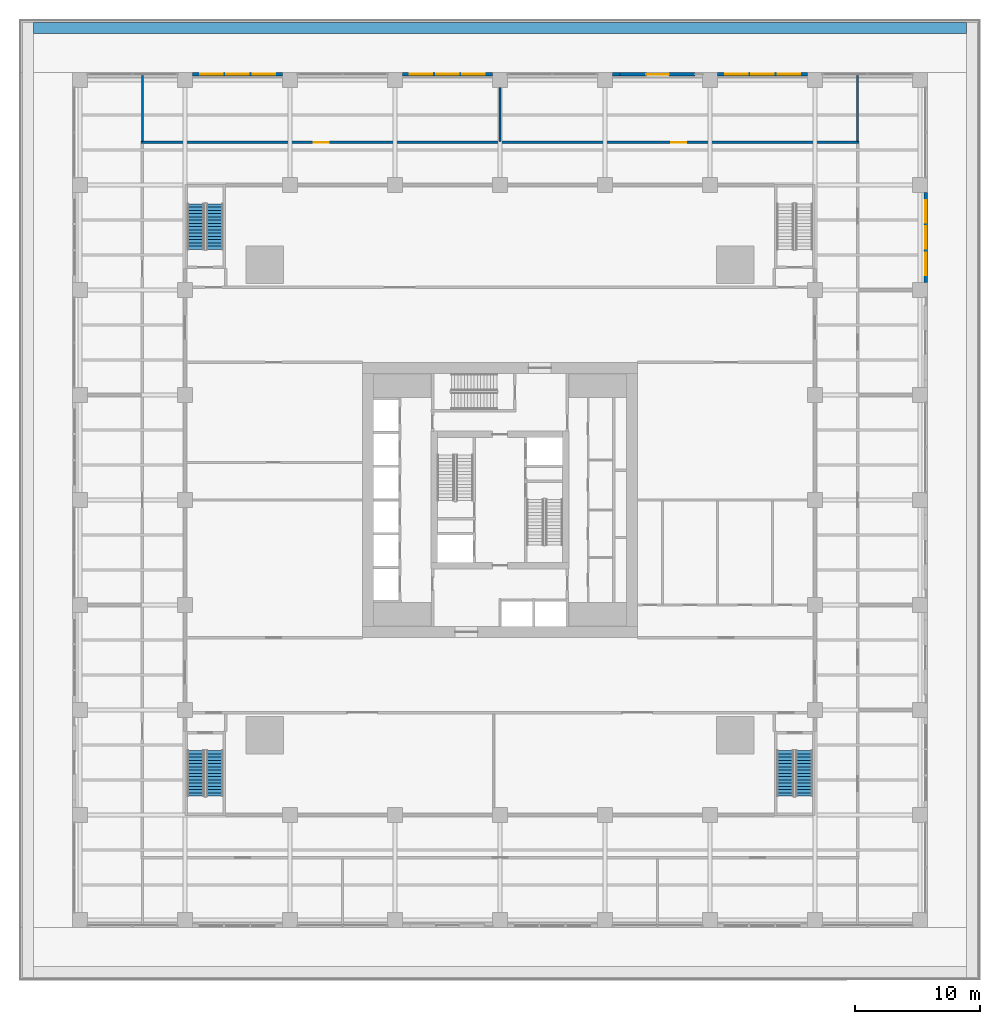
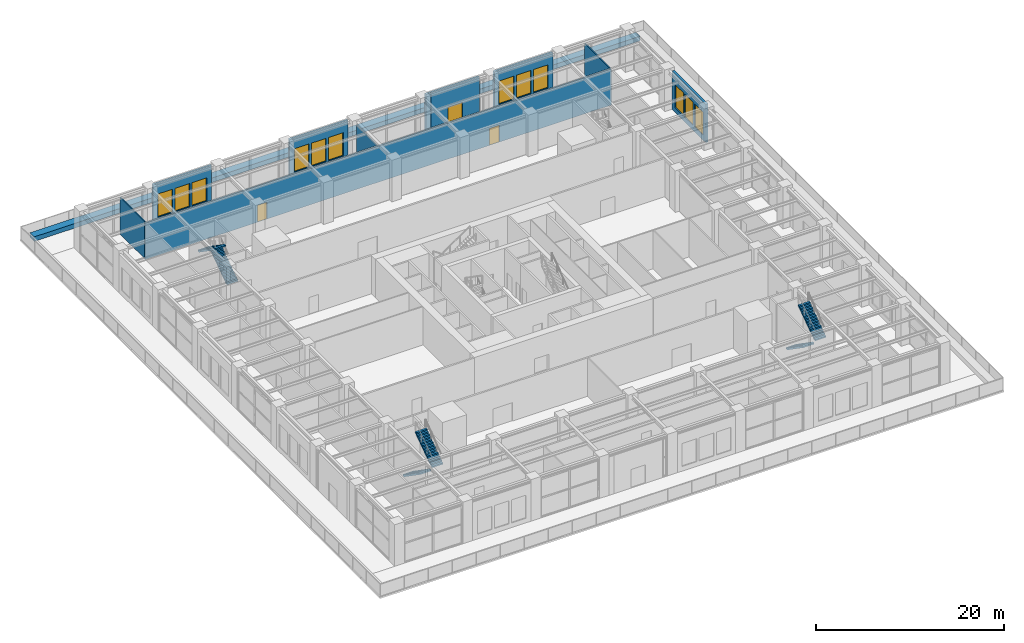
# One storey, part 27 of 36: 12 windows, 11 walls, 6 stair flights, 3 doors, 15 openings, 3 elements without a shape of their own.
"""IFC4 building model written with IfcOpenShell, lengths in metres."""

from ifc_helpers import new_model, si_unit, direction, frame, frame_2d, origin, place, context, subcontext, project, spatial, polyline, rectangle, outline, extrude, material, layer, layer_set, type_object, element, fill, aggregate, save


model = new_model("IFC4")

# Units and contexts
model_context = context("Model", 3, precision=1e-05, world=origin(), true_north=direction((0.0, 1.0)))
body_context = subcontext(model_context, "Body", "Model", "MODEL_VIEW")
ifc_project = project(units=[si_unit("LENGTHUNIT", "METRE"), si_unit("AREAUNIT", "SQUARE_METRE"), si_unit("VOLUMEUNIT", "CUBIC_METRE"), si_unit("PLANEANGLEUNIT", "RADIAN"), si_unit("MASSUNIT", "GRAM", prefix="KILO")], contexts=[model_context])

# Site, building, storey
site_placement = place(None, origin())
site = spatial("IfcSite", under=ifc_project, at=site_placement, CompositionType="ELEMENT")
building_placement = place(site_placement, origin())
building = spatial("IfcBuilding", under=site, at=building_placement, Name="Khepri Terraces", CompositionType="ELEMENT")
storey_placement = place(building_placement, frame((0.0, 0.0, 16.800048828125)))
storey = spatial("IfcBuildingStorey", under=building, at=storey_placement, Name="L03", CompositionType="ELEMENT", Elevation=16.800048828125)

# Wall, openings, windows
ifc_material_1 = material(Name="Precast concrete C50/60 warm stone", Category="masonry")
ifc_layer_1 = layer(ifc_material_1, 0.300048828125, Name="Precast concrete C50/60 warm stone", Category="masonry")
ifc_layer_set_1 = layer_set([ifc_layer_1], Name="Precast concrete C50/60 warm stone")
wall_type_1 = type_object("IfcWallType", Name="WL-EXT-PRECAST-300", PredefinedType="STANDARD", material=ifc_layer_set_1)
wall_1_placement = place(storey_placement, frame((34.050048828125, 17.39990234375, 0.0), z_axis=(0.0, 0.0, 1.0), x_axis=(0.0, 1.0, 0.0)))
wall_1 = element("IfcWall", 1, at=wall_1_placement, inside=storey, type_object=wall_type_1, Name="External wall L03 E", PredefinedType="STANDARD", context=body_context, shape_type="SweptSolid", body=[
    extrude(rectangle(XDim=7.2001953125, YDim=0.300048828125, at=frame_2d((3.60009765625, 0.0))), origin(), (0.0, 0.0, 1.0), 4.97998046875),
])
opening_1_placement = place(wall_1_placement, frame((0.60009765625, 0.0, 0.60009765625)))
opening_1 = element("IfcOpeningElement", 2, at=opening_1_placement, cuts=wall_1, Name="Opening WP1", PredefinedType="OPENING", context=body_context, shape_type="SweptSolid", body=[
    extrude(rectangle(XDim=1.800048828125, YDim=3.0, at=frame_2d((0.89990234375, 1.5))), frame((0.0, 0.16015625, 0.0), z_axis=(0.0, -1.0, 0.0), x_axis=(1.0, 0.0, 0.0)), (0.0, 0.0, 1.0), 0.320068359375),
])
opening_2_placement = place(wall_1_placement, frame((2.699951171875, 0.0, 0.60009765625)))
opening_2 = element("IfcOpeningElement", 3, at=opening_2_placement, cuts=wall_1, Name="Opening WP1", PredefinedType="OPENING", context=body_context, shape_type="SweptSolid", body=[
    extrude(rectangle(XDim=1.800048828125, YDim=3.0, at=frame_2d((0.89990234375, 1.5))), frame((0.0, 0.16015625, 0.0), z_axis=(0.0, -1.0, 0.0), x_axis=(1.0, 0.0, 0.0)), (0.0, 0.0, 1.0), 0.320068359375),
])
opening_3_placement = place(wall_1_placement, frame((4.800048828125, 0.0, 0.60009765625)))
opening_3 = element("IfcOpeningElement", 4, at=opening_3_placement, cuts=wall_1, Name="Opening WP1", PredefinedType="OPENING", context=body_context, shape_type="SweptSolid", body=[
    extrude(rectangle(XDim=1.800048828125, YDim=3.0, at=frame_2d((0.89990234375, 1.5))), frame((0.0, 0.16015625, 0.0), z_axis=(0.0, -1.0, 0.0), x_axis=(1.0, 0.0, 0.0)), (0.0, 0.0, 1.0), 0.320068359375),
])
ifc_material_2 = material(Name="Clear glass", Category="glass")
window_type = type_object("IfcWindowType", Name="WIN-POD-1800x3000", PartitioningType="SINGLE_PANEL", PredefinedType="WINDOW", material=ifc_material_2)
window_1_placement = place(opening_1_placement, origin())
window_1 = element("IfcWindow", 5, at=window_1_placement, inside=storey, type_object=window_type, Name="Window L03 E", OverallHeight=3.0, OverallWidth=1.800048828125, PartitioningType="SINGLE_PANEL", PredefinedType="WINDOW", context=body_context, shape_type="SweptSolid", body=[
    extrude(rectangle(XDim=1.800048828125, YDim=3.0, at=frame_2d((0.89990234375, 1.5))), frame((0.0, 0.030029296875, 0.0), z_axis=(0.0, -1.0, 0.0), x_axis=(1.0, 0.0, 0.0)), (0.0, 0.0, 1.0), 0.06005859375),
])
fill(opening_1, window_1)
window_2_placement = place(opening_2_placement, origin())
window_2 = element("IfcWindow", 6, at=window_2_placement, inside=storey, type_object=window_type, Name="Window L03 E", OverallHeight=3.0, OverallWidth=1.800048828125, PartitioningType="SINGLE_PANEL", PredefinedType="WINDOW", context=body_context, shape_type="SweptSolid", body=[
    extrude(rectangle(XDim=1.800048828125, YDim=3.0, at=frame_2d((0.89990234375, 1.5))), frame((0.0, 0.030029296875, 0.0), z_axis=(0.0, -1.0, 0.0), x_axis=(1.0, 0.0, 0.0)), (0.0, 0.0, 1.0), 0.06005859375),
])
fill(opening_2, window_2)
window_3_placement = place(opening_3_placement, origin())
window_3 = element("IfcWindow", 7, at=window_3_placement, inside=storey, type_object=window_type, Name="Window L03 E", OverallHeight=3.0, OverallWidth=1.800048828125, PartitioningType="SINGLE_PANEL", PredefinedType="WINDOW", context=body_context, shape_type="SweptSolid", body=[
    extrude(rectangle(XDim=1.800048828125, YDim=3.0, at=frame_2d((0.89990234375, 1.5))), frame((0.0, 0.030029296875, 0.0), z_axis=(0.0, -1.0, 0.0), x_axis=(1.0, 0.0, 0.0)), (0.0, 0.0, 1.0), 0.06005859375),
])
fill(opening_3, window_3)

wall_2_placement = place(storey_placement, frame((24.60009765625, 34.050048828125, 0.0), z_axis=(0.0, 0.0, 1.0), x_axis=(-1.0, 0.0, 0.0)))
wall_2 = element("IfcWall", 8, at=wall_2_placement, inside=storey, type_object=wall_type_1, Name="External wall L03 N", PredefinedType="STANDARD", context=body_context, shape_type="SweptSolid", body=[
    extrude(rectangle(XDim=7.2001953125, YDim=0.300048828125, at=frame_2d((3.60009765625, 0.0))), origin(), (0.0, 0.0, 1.0), 4.97998046875),
])
opening_4_placement = place(wall_2_placement, frame((0.60009765625, 0.0, 0.60009765625)))
opening_4 = element("IfcOpeningElement", 9, at=opening_4_placement, cuts=wall_2, Name="Opening WP1", PredefinedType="OPENING", context=body_context, shape_type="SweptSolid", body=[
    extrude(rectangle(XDim=1.800048828125, YDim=3.0, at=frame_2d((0.89990234375, 1.5))), frame((0.0, 0.16015625, 0.0), z_axis=(0.0, -1.0, 0.0), x_axis=(1.0, 0.0, 0.0)), (0.0, 0.0, 1.0), 0.320068359375),
])
opening_5_placement = place(wall_2_placement, frame((2.699951171875, 0.0, 0.60009765625)))
opening_5 = element("IfcOpeningElement", 10, at=opening_5_placement, cuts=wall_2, Name="Opening WP1", PredefinedType="OPENING", context=body_context, shape_type="SweptSolid", body=[
    extrude(rectangle(XDim=1.800048828125, YDim=3.0, at=frame_2d((0.89990234375, 1.5))), frame((0.0, 0.16015625, 0.0), z_axis=(0.0, -1.0, 0.0), x_axis=(1.0, 0.0, 0.0)), (0.0, 0.0, 1.0), 0.320068359375),
])
opening_6_placement = place(wall_2_placement, frame((4.800048828125, 0.0, 0.60009765625)))
opening_6 = element("IfcOpeningElement", 11, at=opening_6_placement, cuts=wall_2, Name="Opening WP1", PredefinedType="OPENING", context=body_context, shape_type="SweptSolid", body=[
    extrude(rectangle(XDim=1.800048828125, YDim=3.0, at=frame_2d((0.89990234375, 1.5))), frame((0.0, 0.16015625, 0.0), z_axis=(0.0, -1.0, 0.0), x_axis=(1.0, 0.0, 0.0)), (0.0, 0.0, 1.0), 0.320068359375),
])
window_4_placement = place(opening_4_placement, origin())
window_4 = element("IfcWindow", 12, at=window_4_placement, inside=storey, type_object=window_type, Name="Window L03 N", OverallHeight=3.0, OverallWidth=1.800048828125, PartitioningType="SINGLE_PANEL", PredefinedType="WINDOW", context=body_context, shape_type="SweptSolid", body=[
    extrude(rectangle(XDim=1.800048828125, YDim=3.0, at=frame_2d((0.89990234375, 1.5))), frame((0.0, 0.030029296875, 0.0), z_axis=(0.0, -1.0, 0.0), x_axis=(1.0, 0.0, 0.0)), (0.0, 0.0, 1.0), 0.06005859375),
])
fill(opening_4, window_4)
window_5_placement = place(opening_5_placement, origin())
window_5 = element("IfcWindow", 13, at=window_5_placement, inside=storey, type_object=window_type, Name="Window L03 N", OverallHeight=3.0, OverallWidth=1.800048828125, PartitioningType="SINGLE_PANEL", PredefinedType="WINDOW", context=body_context, shape_type="SweptSolid", body=[
    extrude(rectangle(XDim=1.800048828125, YDim=3.0, at=frame_2d((0.89990234375, 1.5))), frame((0.0, 0.030029296875, 0.0), z_axis=(0.0, -1.0, 0.0), x_axis=(1.0, 0.0, 0.0)), (0.0, 0.0, 1.0), 0.06005859375),
])
fill(opening_5, window_5)
window_6_placement = place(opening_6_placement, origin())
window_6 = element("IfcWindow", 14, at=window_6_placement, inside=storey, type_object=window_type, Name="Window L03 N", OverallHeight=3.0, OverallWidth=1.800048828125, PartitioningType="SINGLE_PANEL", PredefinedType="WINDOW", context=body_context, shape_type="SweptSolid", body=[
    extrude(rectangle(XDim=1.800048828125, YDim=3.0, at=frame_2d((0.89990234375, 1.5))), frame((0.0, 0.030029296875, 0.0), z_axis=(0.0, -1.0, 0.0), x_axis=(1.0, 0.0, 0.0)), (0.0, 0.0, 1.0), 0.06005859375),
])
fill(opening_6, window_6)

# Wall, opening, door
wall_3_placement = place(storey_placement, frame((15.60009765625, 34.050048828125, 0.0), z_axis=(0.0, 0.0, 1.0), x_axis=(-1.0, 0.0, 0.0)))
wall_3 = element("IfcWall", 15, at=wall_3_placement, inside=storey, type_object=wall_type_1, Name="External wall L03 N", PredefinedType="STANDARD", context=body_context, shape_type="SweptSolid", body=[
    extrude(rectangle(XDim=6.0, YDim=0.300048828125, at=frame_2d((3.0, 0.0))), origin(), (0.0, 0.0, 1.0), 4.97998046875),
])
opening_7_placement = place(wall_3_placement, frame((2.10009765625, 0.0, 0.0)))
opening_7 = element("IfcOpeningElement", 16, at=opening_7_placement, cuts=wall_3, Name="Opening ED-L03-05", PredefinedType="OPENING", context=body_context, shape_type="SweptSolid", body=[
    extrude(rectangle(XDim=1.800048828125, YDim=2.39990234375, at=frame_2d((0.89990234375, 1.199951171875))), frame((0.0, 0.16015625, 0.0), z_axis=(0.0, -1.0, 0.0), x_axis=(1.0, 0.0, 0.0)), (0.0, 0.0, 1.0), 0.320068359375),
])
ifc_material_3 = material(Name="Anodised aluminium bronze glazed door", Category="aluminium")
door_type_1 = type_object("IfcDoorType", Name="DR-BAL-SLIDE-1800x2400", OperationType="NOTDEFINED", PredefinedType="DOOR", material=ifc_material_3)
door_1_placement = place(opening_7_placement, origin())
door_1 = element("IfcDoor", 17, at=door_1_placement, inside=storey, type_object=door_type_1, Name="Balcony door L03 N", OperationType="SLIDING_TO_RIGHT", OverallHeight=2.39990234375, OverallWidth=1.800048828125, PredefinedType="DOOR", context=body_context, shape_type="SweptSolid", body=[
    extrude(rectangle(XDim=1.800048828125, YDim=2.39990234375, at=frame_2d((0.89990234375, 1.199951171875))), frame((0.0, 0.02490234375, 0.0), z_axis=(0.0, -1.0, 0.0), x_axis=(1.0, 0.0, 0.0)), (0.0, 0.0, 1.0), 0.050048828125),
])
fill(opening_7, door_1)

# Wall
wall_4_placement = place(storey_placement, frame((9.60009765625, 34.050048828125, 0.0), z_axis=(0.0, 0.0, 1.0), x_axis=(-1.0, 0.0, 0.0)))
element("IfcWall", 18, at=wall_4_placement, inside=storey, type_object=wall_type_1, Name="External wall L03 N", PredefinedType="STANDARD", context=body_context, shape_type="SweptSolid", body=[
    extrude(rectangle(XDim=0.60009765625, YDim=0.300048828125, at=frame_2d((0.300048828125, 0.0))), origin(), (0.0, 0.0, 1.0), 4.97998046875),
])

# Wall, openings, windows
wall_5_placement = place(storey_placement, frame((-0.60009765625, 34.050048828125, 0.0), z_axis=(0.0, 0.0, 1.0), x_axis=(-1.0, 0.0, 0.0)))
wall_5 = element("IfcWall", 19, at=wall_5_placement, inside=storey, type_object=wall_type_1, Name="External wall L03 N", PredefinedType="STANDARD", context=body_context, shape_type="SweptSolid", body=[
    extrude(rectangle(XDim=7.199951171875, YDim=0.300048828125, at=frame_2d((3.60009765625, 0.0))), origin(), (0.0, 0.0, 1.0), 4.97998046875),
])
opening_8_placement = place(wall_5_placement, frame((0.60009765625, 0.0, 0.60009765625)))
opening_8 = element("IfcOpeningElement", 20, at=opening_8_placement, cuts=wall_5, Name="Opening WP1", PredefinedType="OPENING", context=body_context, shape_type="SweptSolid", body=[
    extrude(rectangle(XDim=1.800048828125, YDim=3.0, at=frame_2d((0.89990234375, 1.5))), frame((0.0, 0.16015625, 0.0), z_axis=(0.0, -1.0, 0.0), x_axis=(1.0, 0.0, 0.0)), (0.0, 0.0, 1.0), 0.320068359375),
])
opening_9_placement = place(wall_5_placement, frame((2.699951171875, 0.0, 0.60009765625)))
opening_9 = element("IfcOpeningElement", 21, at=opening_9_placement, cuts=wall_5, Name="Opening WP1", PredefinedType="OPENING", context=body_context, shape_type="SweptSolid", body=[
    extrude(rectangle(XDim=1.800048828125, YDim=3.0, at=frame_2d((0.89990234375, 1.5))), frame((0.0, 0.16015625, 0.0), z_axis=(0.0, -1.0, 0.0), x_axis=(1.0, 0.0, 0.0)), (0.0, 0.0, 1.0), 0.320068359375),
])
opening_10_placement = place(wall_5_placement, frame((4.800048828125, 0.0, 0.60009765625)))
opening_10 = element("IfcOpeningElement", 22, at=opening_10_placement, cuts=wall_5, Name="Opening WP1", PredefinedType="OPENING", context=body_context, shape_type="SweptSolid", body=[
    extrude(rectangle(XDim=1.800048828125, YDim=3.0, at=frame_2d((0.89990234375, 1.5))), frame((0.0, 0.16015625, 0.0), z_axis=(0.0, -1.0, 0.0), x_axis=(1.0, 0.0, 0.0)), (0.0, 0.0, 1.0), 0.320068359375),
])
window_7_placement = place(opening_8_placement, origin())
window_7 = element("IfcWindow", 23, at=window_7_placement, inside=storey, type_object=window_type, Name="Window L03 N", OverallHeight=3.0, OverallWidth=1.800048828125, PartitioningType="SINGLE_PANEL", PredefinedType="WINDOW", context=body_context, shape_type="SweptSolid", body=[
    extrude(rectangle(XDim=1.800048828125, YDim=3.0, at=frame_2d((0.89990234375, 1.5))), frame((0.0, 0.030029296875, 0.0), z_axis=(0.0, -1.0, 0.0), x_axis=(1.0, 0.0, 0.0)), (0.0, 0.0, 1.0), 0.06005859375),
])
fill(opening_8, window_7)
window_8_placement = place(opening_9_placement, origin())
window_8 = element("IfcWindow", 24, at=window_8_placement, inside=storey, type_object=window_type, Name="Window L03 N", OverallHeight=3.0, OverallWidth=1.800048828125, PartitioningType="SINGLE_PANEL", PredefinedType="WINDOW", context=body_context, shape_type="SweptSolid", body=[
    extrude(rectangle(XDim=1.800048828125, YDim=3.0, at=frame_2d((0.89990234375, 1.5))), frame((0.0, 0.030029296875, 0.0), z_axis=(0.0, -1.0, 0.0), x_axis=(1.0, 0.0, 0.0)), (0.0, 0.0, 1.0), 0.06005859375),
])
fill(opening_9, window_8)
window_9_placement = place(opening_10_placement, origin())
window_9 = element("IfcWindow", 25, at=window_9_placement, inside=storey, type_object=window_type, Name="Window L03 N", OverallHeight=3.0, OverallWidth=1.800048828125, PartitioningType="SINGLE_PANEL", PredefinedType="WINDOW", context=body_context, shape_type="SweptSolid", body=[
    extrude(rectangle(XDim=1.800048828125, YDim=3.0, at=frame_2d((0.89990234375, 1.5))), frame((0.0, 0.030029296875, 0.0), z_axis=(0.0, -1.0, 0.0), x_axis=(1.0, 0.0, 0.0)), (0.0, 0.0, 1.0), 0.06005859375),
])
fill(opening_10, window_9)

wall_6_placement = place(storey_placement, frame((-17.39990234375, 34.050048828125, 0.0), z_axis=(0.0, 0.0, 1.0), x_axis=(-1.0, 0.0, 0.0)))
wall_6 = element("IfcWall", 26, at=wall_6_placement, inside=storey, type_object=wall_type_1, Name="External wall L03 N", PredefinedType="STANDARD", context=body_context, shape_type="SweptSolid", body=[
    extrude(rectangle(XDim=7.2001953125, YDim=0.300048828125, at=frame_2d((3.60009765625, 0.0))), origin(), (0.0, 0.0, 1.0), 4.97998046875),
])
opening_11_placement = place(wall_6_placement, frame((0.60009765625, 0.0, 0.60009765625)))
opening_11 = element("IfcOpeningElement", 27, at=opening_11_placement, cuts=wall_6, Name="Opening WP1", PredefinedType="OPENING", context=body_context, shape_type="SweptSolid", body=[
    extrude(rectangle(XDim=1.800048828125, YDim=3.0, at=frame_2d((0.89990234375, 1.5))), frame((0.0, 0.16015625, 0.0), z_axis=(0.0, -1.0, 0.0), x_axis=(1.0, 0.0, 0.0)), (0.0, 0.0, 1.0), 0.320068359375),
])
opening_12_placement = place(wall_6_placement, frame((2.699951171875, 0.0, 0.60009765625)))
opening_12 = element("IfcOpeningElement", 28, at=opening_12_placement, cuts=wall_6, Name="Opening WP1", PredefinedType="OPENING", context=body_context, shape_type="SweptSolid", body=[
    extrude(rectangle(XDim=1.800048828125, YDim=3.0, at=frame_2d((0.89990234375, 1.5))), frame((0.0, 0.16015625, 0.0), z_axis=(0.0, -1.0, 0.0), x_axis=(1.0, 0.0, 0.0)), (0.0, 0.0, 1.0), 0.320068359375),
])
opening_13_placement = place(wall_6_placement, frame((4.800048828125, 0.0, 0.60009765625)))
opening_13 = element("IfcOpeningElement", 29, at=opening_13_placement, cuts=wall_6, Name="Opening WP1", PredefinedType="OPENING", context=body_context, shape_type="SweptSolid", body=[
    extrude(rectangle(XDim=1.800048828125, YDim=3.0, at=frame_2d((0.89990234375, 1.5))), frame((0.0, 0.16015625, 0.0), z_axis=(0.0, -1.0, 0.0), x_axis=(1.0, 0.0, 0.0)), (0.0, 0.0, 1.0), 0.320068359375),
])
window_10_placement = place(opening_11_placement, origin())
window_10 = element("IfcWindow", 30, at=window_10_placement, inside=storey, type_object=window_type, Name="Window L03 N", OverallHeight=3.0, OverallWidth=1.800048828125, PartitioningType="SINGLE_PANEL", PredefinedType="WINDOW", context=body_context, shape_type="SweptSolid", body=[
    extrude(rectangle(XDim=1.800048828125, YDim=3.0, at=frame_2d((0.89990234375, 1.5))), frame((0.0, 0.030029296875, 0.0), z_axis=(0.0, -1.0, 0.0), x_axis=(1.0, 0.0, 0.0)), (0.0, 0.0, 1.0), 0.06005859375),
])
fill(opening_11, window_10)
window_11_placement = place(opening_12_placement, origin())
window_11 = element("IfcWindow", 31, at=window_11_placement, inside=storey, type_object=window_type, Name="Window L03 N", OverallHeight=3.0, OverallWidth=1.800048828125, PartitioningType="SINGLE_PANEL", PredefinedType="WINDOW", context=body_context, shape_type="SweptSolid", body=[
    extrude(rectangle(XDim=1.800048828125, YDim=3.0, at=frame_2d((0.89990234375, 1.5))), frame((0.0, 0.030029296875, 0.0), z_axis=(0.0, -1.0, 0.0), x_axis=(1.0, 0.0, 0.0)), (0.0, 0.0, 1.0), 0.06005859375),
])
fill(opening_12, window_11)
window_12_placement = place(opening_13_placement, origin())
window_12 = element("IfcWindow", 32, at=window_12_placement, inside=storey, type_object=window_type, Name="Window L03 N", OverallHeight=3.0, OverallWidth=1.800048828125, PartitioningType="SINGLE_PANEL", PredefinedType="WINDOW", context=body_context, shape_type="SweptSolid", body=[
    extrude(rectangle(XDim=1.800048828125, YDim=3.0, at=frame_2d((0.89990234375, 1.5))), frame((0.0, 0.030029296875, 0.0), z_axis=(0.0, -1.0, 0.0), x_axis=(1.0, 0.0, 0.0)), (0.0, 0.0, 1.0), 0.06005859375),
])
fill(opening_13, window_12)

# Walls
ifc_layer_2 = layer(ifc_material_1, 0.89990234375, Name="Precast concrete C50/60 warm stone", Category="masonry")
ifc_layer_set_2 = layer_set([ifc_layer_2], Name="Precast concrete C50/60 warm stone")
wall_type_2 = type_object("IfcWallType", Name="WL-PLANTER-900", PredefinedType="MOVABLE", material=ifc_layer_set_2)
wall_7_placement = place(storey_placement, frame((-37.300048828125, 37.75, 0.0), z_axis=(0.0, 0.0, 1.0), x_axis=(1.0, 0.0, 0.0)))
element("IfcWall", 33, at=wall_7_placement, inside=storey, type_object=wall_type_2, Name="Planter L03", PredefinedType="MOVABLE", context=body_context, shape_type="SweptSolid", body=[
    extrude(rectangle(XDim=74.60009765625, YDim=0.89990234375, at=frame_2d((37.300048828125, 0.0))), origin(), (0.0, 0.0, 1.0), 0.599853515625),
])
ifc_material_4 = material(Name="Gypsum board partition")
ifc_layer_3 = layer(ifc_material_4, 0.14990234375, Name="Gypsum board partition")
ifc_layer_set_3 = layer_set([ifc_layer_3], Name="Gypsum board partition")
wall_type_3 = type_object("IfcWallType", Name="WL-POD-150", PredefinedType="PARTITIONING", material=ifc_layer_set_3)
wall_8_placement = place(storey_placement, frame((-28.60009765625, 28.699951171875, 0.0), z_axis=(0.0, 0.0, 1.0), x_axis=(0.0, 1.0, 0.0)))
element("IfcWall", 34, at=wall_8_placement, inside=storey, type_object=wall_type_3, Name="Partition L03-PW033", PredefinedType="PARTITIONING", context=body_context, shape_type="SweptSolid", body=[
    extrude(rectangle(XDim=5.25, YDim=0.14990234375, at=frame_2d((2.625, 0.0))), origin(), (0.0, 0.0, 1.0), 4.780029296875),
])
wall_9_placement = place(storey_placement, frame((0.0, 28.699951171875, 0.0), z_axis=(0.0, 0.0, 1.0), x_axis=(0.0, 1.0, 0.0)))
element("IfcWall", 35, at=wall_9_placement, inside=storey, type_object=wall_type_3, Name="Partition L03-PW044", PredefinedType="PARTITIONING", context=body_context, shape_type="SweptSolid", body=[
    extrude(rectangle(XDim=4.300048828125, YDim=0.14990234375, at=frame_2d((2.14990234375, 0.0))), origin(), (0.0, 0.0, 1.0), 4.679931640625),
])
wall_10_placement = place(storey_placement, frame((28.60009765625, 28.699951171875, 0.0), z_axis=(0.0, 0.0, 1.0), x_axis=(0.0, 1.0, 0.0)))
element("IfcWall", 36, at=wall_10_placement, inside=storey, type_object=wall_type_3, Name="Partition L03-PW059", PredefinedType="PARTITIONING", context=body_context, shape_type="SweptSolid", body=[
    extrude(rectangle(XDim=5.25, YDim=0.14990234375, at=frame_2d((2.625, 0.0))), origin(), (0.0, 0.0, 1.0), 4.780029296875),
])

# Wall, openings, doors
ifc_material_5 = material(Name="Fire-rated block wall")
ifc_layer_4 = layer(ifc_material_5, 0.199951171875, Name="Fire-rated block wall")
ifc_layer_set_4 = layer_set([ifc_layer_4], Name="Fire-rated block wall")
wall_type_4 = type_object("IfcWallType", Name="WL-POD-200-EI60", PredefinedType="PARTITIONING", material=ifc_layer_set_4)
wall_11_placement = place(storey_placement, frame((-28.699951171875, 28.60009765625, 0.0), z_axis=(0.0, 0.0, 1.0), x_axis=(1.0, 0.0, 0.0)))
wall_11 = element("IfcWall", 37, at=wall_11_placement, inside=storey, type_object=wall_type_4, Name="Partition L03-PW030", PredefinedType="PARTITIONING", context=body_context, shape_type="SweptSolid", body=[
    extrude(rectangle(XDim=57.39990234375, YDim=0.199951171875, at=frame_2d((28.699951171875, 0.0))), origin(), (0.0, 0.0, 1.0), 4.679931640625),
])
opening_14_placement = place(wall_11_placement, frame((13.800048828125, 0.0, 0.0)))
opening_14 = element("IfcOpeningElement", 38, at=opening_14_placement, cuts=wall_11, Name="Opening L03-P32", PredefinedType="OPENING", context=body_context, shape_type="SweptSolid", body=[
    extrude(rectangle(XDim=1.199951171875, YDim=2.199951171875, at=frame_2d((0.60009765625, 1.10009765625))), frame((0.0, 0.10986328125, 0.0), z_axis=(0.0, -1.0, 0.0), x_axis=(1.0, 0.0, 0.0)), (0.0, 0.0, 1.0), 0.219970703125),
])
opening_15_placement = place(wall_11_placement, frame((42.39990234375, 0.0, 0.0)))
opening_15 = element("IfcOpeningElement", 39, at=opening_15_placement, cuts=wall_11, Name="Opening L03-P33", PredefinedType="OPENING", context=body_context, shape_type="SweptSolid", body=[
    extrude(rectangle(XDim=1.199951171875, YDim=2.199951171875, at=frame_2d((0.60009765625, 1.10009765625))), frame((0.0, 0.10986328125, 0.0), z_axis=(0.0, -1.0, 0.0), x_axis=(1.0, 0.0, 0.0)), (0.0, 0.0, 1.0), 0.219970703125),
])
ifc_material_6 = material(Name="Timber veneer", Category="wood")
door_type_2 = type_object("IfcDoorType", Name="DR-POD-SINGLE-1200", OperationType="NOTDEFINED", PredefinedType="DOOR", material=ifc_material_6)
door_2_placement = place(opening_14_placement, origin())
door_2 = element("IfcDoor", 40, at=door_2_placement, inside=storey, type_object=door_type_2, Name="Door L03-P32", OperationType="SINGLE_SWING_LEFT", OverallHeight=2.199951171875, OverallWidth=1.199951171875, PredefinedType="DOOR", context=body_context, shape_type="SweptSolid", body=[
    extrude(rectangle(XDim=1.199951171875, YDim=2.199951171875, at=frame_2d((0.60009765625, 1.10009765625))), frame((0.0, 0.02490234375, 0.0), z_axis=(0.0, -1.0, 0.0), x_axis=(1.0, 0.0, 0.0)), (0.0, 0.0, 1.0), 0.050048828125),
])
fill(opening_14, door_2)
door_3_placement = place(opening_15_placement, origin())
door_3 = element("IfcDoor", 41, at=door_3_placement, inside=storey, type_object=door_type_2, Name="Door L03-P33", OperationType="SINGLE_SWING_RIGHT", OverallHeight=2.199951171875, OverallWidth=1.199951171875, PredefinedType="DOOR", context=body_context, shape_type="SweptSolid", body=[
    extrude(rectangle(XDim=1.199951171875, YDim=2.199951171875, at=frame_2d((0.60009765625, 1.10009765625))), frame((0.0, 0.02490234375, 0.0), z_axis=(0.0, -1.0, 0.0), x_axis=(1.0, 0.0, 0.0)), (0.0, 0.0, 1.0), 0.050048828125),
])
fill(opening_15, door_3)

# Stair, stair flights
ifc_material_7 = material(Name="Concrete C40/50", Category="concrete")
stair_type = type_object("IfcStairType", Name="ST-POD", PredefinedType="HALF_TURN_STAIR", material=ifc_material_7)
stair_1_placement = place(storey_placement, origin())
stair_1 = element("IfcStair", 42, at=stair_1_placement, inside=storey, type_object=stair_type, Name="L03 Exit Stair PS-2", PredefinedType="HALF_TURN_STAIR")
stair_flight_type = type_object("IfcStairFlightType", Name="SFL-POD", PredefinedType="STRAIGHT", material=ifc_material_7)
stair_flight_1_placement = place(storey_placement, frame((-22.824951171875, 20.050048828125, 0.0), z_axis=(0.0, 0.0, 1.0), x_axis=(0.0, 1.0, 0.0)))
stair_flight_1 = element("IfcStairFlight", 43, at=stair_flight_1_placement, type_object=stair_flight_type, Name="PS-2 flight 1", NumberOfRisers=15, NumberOfTreads=14, PredefinedType="STRAIGHT", RiserHeight=0.18, TreadLength=0.26, context=body_context, shape_type="SweptSolid", body=[
    extrude(outline(polyline([(0.0, 0.0), (0.0, 0.179931640625), (0.260009765625, 0.179931640625), (0.260009765625, 0.360107421875), (0.52001953125, 0.360107421875), (0.52001953125, 0.5400390625), (0.780029296875, 0.5400390625), (0.780029296875, 0.719970703125), (1.0400390625, 0.719970703125), (1.0400390625, 0.89990234375), (1.300048828125, 0.89990234375), (1.300048828125, 1.080078125), (1.56005859375, 1.080078125), (1.56005859375, 1.260009765625), (1.820068359375, 1.260009765625), (1.820068359375, 1.43994140625), (2.080078125, 1.43994140625), (2.080078125, 1.6201171875), (2.340087890625, 1.6201171875), (2.340087890625, 1.800048828125), (2.60009765625, 1.800048828125), (2.60009765625, 1.97998046875), (2.860107421875, 1.97998046875), (2.860107421875, 2.159912109375), (3.1201171875, 2.159912109375), (3.1201171875, 2.340087890625), (3.3798828125, 2.340087890625), (3.3798828125, 2.52001953125), (3.639892578125, 2.52001953125), (3.639892578125, 2.699951171875), (3.639892578125, 2.337646484375), (0.263427734375, 0.0), (0.0, 0.0)])), frame((0.0, 0.675048828125, 0.0), z_axis=(0.0, -1.0, 0.0), x_axis=(1.0, 0.0, 0.0)), (0.0, 0.0, 1.0), 1.35009765625),
])
stair_flight_2_placement = place(storey_placement, frame((-24.324951171875, 23.68994140625, 2.699951171875), z_axis=(0.0, 0.0, 1.0), x_axis=(0.0, -1.0, 0.0)))
stair_flight_2 = element("IfcStairFlight", 44, at=stair_flight_2_placement, type_object=stair_flight_type, Name="PS-2 flight 2", NumberOfRisers=15, NumberOfTreads=14, PredefinedType="STRAIGHT", RiserHeight=0.18, TreadLength=0.26, context=body_context, shape_type="SweptSolid", body=[
    extrude(outline(polyline([(0.0, 0.0), (0.0, 0.179931640625), (0.260009765625, 0.179931640625), (0.260009765625, 0.360107421875), (0.52001953125, 0.360107421875), (0.52001953125, 0.5400390625), (0.780029296875, 0.5400390625), (0.780029296875, 0.719970703125), (1.0400390625, 0.719970703125), (1.0400390625, 0.89990234375), (1.300048828125, 0.89990234375), (1.300048828125, 1.080078125), (1.56005859375, 1.080078125), (1.56005859375, 1.260009765625), (1.820068359375, 1.260009765625), (1.820068359375, 1.43994140625), (2.080078125, 1.43994140625), (2.080078125, 1.6201171875), (2.340087890625, 1.6201171875), (2.340087890625, 1.800048828125), (2.60009765625, 1.800048828125), (2.60009765625, 1.97998046875), (2.860107421875, 1.97998046875), (2.860107421875, 2.159912109375), (3.1201171875, 2.159912109375), (3.1201171875, 2.340087890625), (3.3798828125, 2.340087890625), (3.3798828125, 2.52001953125), (3.639892578125, 2.52001953125), (3.639892578125, 2.699951171875), (3.639892578125, 2.337646484375), (0.263427734375, 0.0), (0.0, 0.0)])), frame((0.0, 0.675048828125, 0.0), z_axis=(0.0, -1.0, 0.0), x_axis=(1.0, 0.0, 0.0)), (0.0, 0.0, 1.0), 1.35009765625),
])
aggregate(stair_1, [stair_flight_1, stair_flight_2])

stair_2_placement = place(storey_placement, origin())
stair_2 = element("IfcStair", 45, at=stair_2_placement, inside=storey, type_object=stair_type, Name="L03 Exit Stair PS-3", PredefinedType="HALF_TURN_STAIR")
stair_flight_3_placement = place(storey_placement, frame((22.824951171875, -20.050048828125, 0.0), z_axis=(0.0, 0.0, 1.0), x_axis=(0.0, -1.0, 0.0)))
stair_flight_3 = element("IfcStairFlight", 46, at=stair_flight_3_placement, type_object=stair_flight_type, Name="PS-3 flight 1", NumberOfRisers=15, NumberOfTreads=14, PredefinedType="STRAIGHT", RiserHeight=0.18, TreadLength=0.26, context=body_context, shape_type="SweptSolid", body=[
    extrude(outline(polyline([(0.0, 0.0), (0.0, 0.179931640625), (0.260009765625, 0.179931640625), (0.260009765625, 0.360107421875), (0.52001953125, 0.360107421875), (0.52001953125, 0.5400390625), (0.780029296875, 0.5400390625), (0.780029296875, 0.719970703125), (1.0400390625, 0.719970703125), (1.0400390625, 0.89990234375), (1.300048828125, 0.89990234375), (1.300048828125, 1.080078125), (1.56005859375, 1.080078125), (1.56005859375, 1.260009765625), (1.820068359375, 1.260009765625), (1.820068359375, 1.43994140625), (2.080078125, 1.43994140625), (2.080078125, 1.6201171875), (2.340087890625, 1.6201171875), (2.340087890625, 1.800048828125), (2.60009765625, 1.800048828125), (2.60009765625, 1.97998046875), (2.860107421875, 1.97998046875), (2.860107421875, 2.159912109375), (3.1201171875, 2.159912109375), (3.1201171875, 2.340087890625), (3.3798828125, 2.340087890625), (3.3798828125, 2.52001953125), (3.639892578125, 2.52001953125), (3.639892578125, 2.699951171875), (3.639892578125, 2.337646484375), (0.263427734375, 0.0), (0.0, 0.0)])), frame((0.0, 0.675048828125, 0.0), z_axis=(0.0, -1.0, 0.0), x_axis=(1.0, 0.0, 0.0)), (0.0, 0.0, 1.0), 1.35009765625),
])
stair_flight_4_placement = place(storey_placement, frame((24.324951171875, -23.68994140625, 2.699951171875), z_axis=(0.0, 0.0, 1.0), x_axis=(0.0, 1.0, 0.0)))
stair_flight_4 = element("IfcStairFlight", 47, at=stair_flight_4_placement, type_object=stair_flight_type, Name="PS-3 flight 2", NumberOfRisers=15, NumberOfTreads=14, PredefinedType="STRAIGHT", RiserHeight=0.18, TreadLength=0.26, context=body_context, shape_type="SweptSolid", body=[
    extrude(outline(polyline([(0.0, 0.0), (0.0, 0.179931640625), (0.260009765625, 0.179931640625), (0.260009765625, 0.360107421875), (0.52001953125, 0.360107421875), (0.52001953125, 0.5400390625), (0.780029296875, 0.5400390625), (0.780029296875, 0.719970703125), (1.0400390625, 0.719970703125), (1.0400390625, 0.89990234375), (1.300048828125, 0.89990234375), (1.300048828125, 1.080078125), (1.56005859375, 1.080078125), (1.56005859375, 1.260009765625), (1.820068359375, 1.260009765625), (1.820068359375, 1.43994140625), (2.080078125, 1.43994140625), (2.080078125, 1.6201171875), (2.340087890625, 1.6201171875), (2.340087890625, 1.800048828125), (2.60009765625, 1.800048828125), (2.60009765625, 1.97998046875), (2.860107421875, 1.97998046875), (2.860107421875, 2.159912109375), (3.1201171875, 2.159912109375), (3.1201171875, 2.340087890625), (3.3798828125, 2.340087890625), (3.3798828125, 2.52001953125), (3.639892578125, 2.52001953125), (3.639892578125, 2.699951171875), (3.639892578125, 2.337646484375), (0.263427734375, 0.0), (0.0, 0.0)])), frame((0.0, 0.675048828125, 0.0), z_axis=(0.0, -1.0, 0.0), x_axis=(1.0, 0.0, 0.0)), (0.0, 0.0, 1.0), 1.35009765625),
])
aggregate(stair_2, [stair_flight_3, stair_flight_4])

stair_3_placement = place(storey_placement, origin())
stair_3 = element("IfcStair", 48, at=stair_3_placement, inside=storey, type_object=stair_type, Name="L03 Exit Stair PS-4", PredefinedType="HALF_TURN_STAIR")
stair_flight_5_placement = place(storey_placement, frame((-24.324951171875, -20.050048828125, 0.0), z_axis=(0.0, 0.0, 1.0), x_axis=(0.0, -1.0, 0.0)))
stair_flight_5 = element("IfcStairFlight", 49, at=stair_flight_5_placement, type_object=stair_flight_type, Name="PS-4 flight 1", NumberOfRisers=15, NumberOfTreads=14, PredefinedType="STRAIGHT", RiserHeight=0.18, TreadLength=0.26, context=body_context, shape_type="SweptSolid", body=[
    extrude(outline(polyline([(0.0, 0.0), (0.0, 0.179931640625), (0.260009765625, 0.179931640625), (0.260009765625, 0.360107421875), (0.52001953125, 0.360107421875), (0.52001953125, 0.5400390625), (0.780029296875, 0.5400390625), (0.780029296875, 0.719970703125), (1.0400390625, 0.719970703125), (1.0400390625, 0.89990234375), (1.300048828125, 0.89990234375), (1.300048828125, 1.080078125), (1.56005859375, 1.080078125), (1.56005859375, 1.260009765625), (1.820068359375, 1.260009765625), (1.820068359375, 1.43994140625), (2.080078125, 1.43994140625), (2.080078125, 1.6201171875), (2.340087890625, 1.6201171875), (2.340087890625, 1.800048828125), (2.60009765625, 1.800048828125), (2.60009765625, 1.97998046875), (2.860107421875, 1.97998046875), (2.860107421875, 2.159912109375), (3.1201171875, 2.159912109375), (3.1201171875, 2.340087890625), (3.3798828125, 2.340087890625), (3.3798828125, 2.52001953125), (3.639892578125, 2.52001953125), (3.639892578125, 2.699951171875), (3.639892578125, 2.337646484375), (0.263427734375, 0.0), (0.0, 0.0)])), frame((0.0, 0.675048828125, 0.0), z_axis=(0.0, -1.0, 0.0), x_axis=(1.0, 0.0, 0.0)), (0.0, 0.0, 1.0), 1.35009765625),
])
stair_flight_6_placement = place(storey_placement, frame((-22.824951171875, -23.68994140625, 2.699951171875), z_axis=(0.0, 0.0, 1.0), x_axis=(0.0, 1.0, 0.0)))
stair_flight_6 = element("IfcStairFlight", 50, at=stair_flight_6_placement, type_object=stair_flight_type, Name="PS-4 flight 2", NumberOfRisers=15, NumberOfTreads=14, PredefinedType="STRAIGHT", RiserHeight=0.18, TreadLength=0.26, context=body_context, shape_type="SweptSolid", body=[
    extrude(outline(polyline([(0.0, 0.0), (0.0, 0.179931640625), (0.260009765625, 0.179931640625), (0.260009765625, 0.360107421875), (0.52001953125, 0.360107421875), (0.52001953125, 0.5400390625), (0.780029296875, 0.5400390625), (0.780029296875, 0.719970703125), (1.0400390625, 0.719970703125), (1.0400390625, 0.89990234375), (1.300048828125, 0.89990234375), (1.300048828125, 1.080078125), (1.56005859375, 1.080078125), (1.56005859375, 1.260009765625), (1.820068359375, 1.260009765625), (1.820068359375, 1.43994140625), (2.080078125, 1.43994140625), (2.080078125, 1.6201171875), (2.340087890625, 1.6201171875), (2.340087890625, 1.800048828125), (2.60009765625, 1.800048828125), (2.60009765625, 1.97998046875), (2.860107421875, 1.97998046875), (2.860107421875, 2.159912109375), (3.1201171875, 2.159912109375), (3.1201171875, 2.340087890625), (3.3798828125, 2.340087890625), (3.3798828125, 2.52001953125), (3.639892578125, 2.52001953125), (3.639892578125, 2.699951171875), (3.639892578125, 2.337646484375), (0.263427734375, 0.0), (0.0, 0.0)])), frame((0.0, 0.675048828125, 0.0), z_axis=(0.0, -1.0, 0.0), x_axis=(1.0, 0.0, 0.0)), (0.0, 0.0, 1.0), 1.35009765625),
])
aggregate(stair_3, [stair_flight_5, stair_flight_6])

save(model, "model.ifc")
